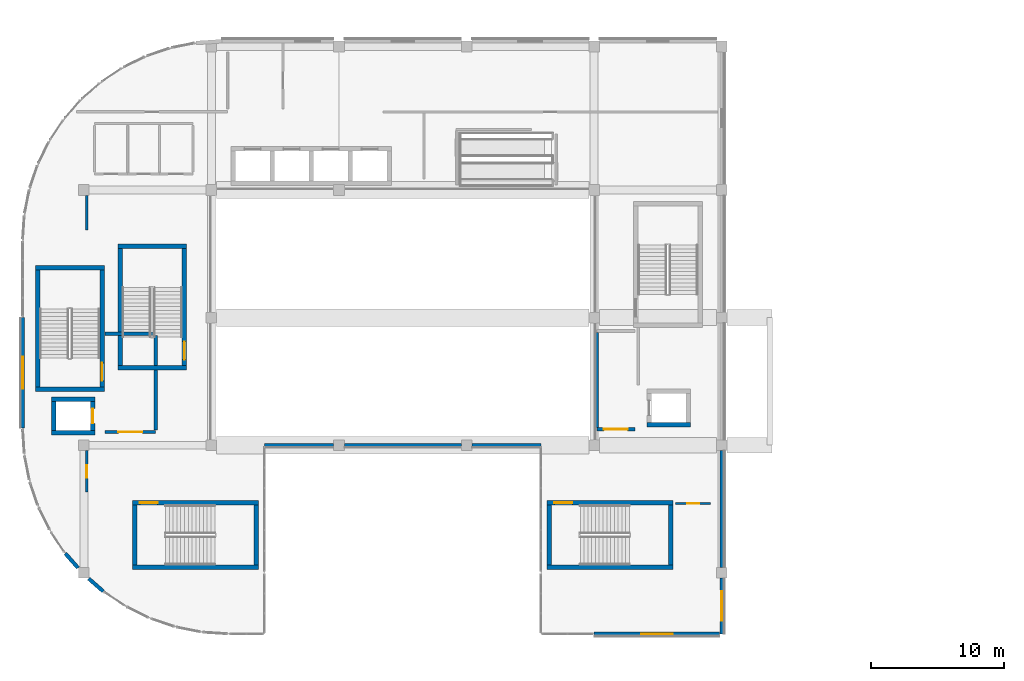
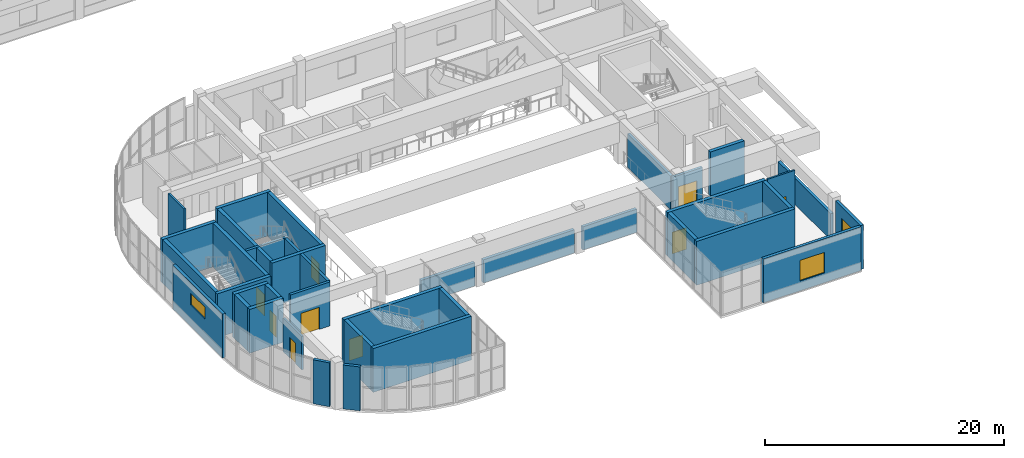
# One storey, part 21 of 33: 38 walls, 9 doors, 3 windows, 12 openings.
"""IFC4 building model written with IfcOpenShell, lengths in metres."""

import ifcopenshell
import ifcopenshell.guid

model = None  # the IFC model being written
_history = None  # IfcOwnerHistory: only IFC2X3 demands one
_inside = {}  # id of a spatial element -> (the spatial element, [elements in it])
_under = {}  # id of a project, library or spatial element -> (it, [spatial elements below it])
_declared = {}  # id of a project -> (the project, [libraries it declares])
_typed = {}  # id of a type object -> (the type object, [elements of that type])
_made_of = {}  # id of a material, layer set ... -> (it, [elements and type objects made of it])


def new_model(schema):
    """Start an empty IFC model of exactly this schema.

    Asked for "IFC4X3", IfcOpenShell would pick the latest addendum, in which some entities
    have other attributes; the version numbers below select the first issue.
    IFC2X3 requires an IfcOwnerHistory on every rooted entity: one is made here for all.
    """
    global model, _history
    if schema == "IFC4X3":
        model = ifcopenshell.file(schema_version=(4, 3, 0, 0))
    else:
        model = ifcopenshell.file(schema=schema)
    _inside.clear()
    _under.clear()
    _declared.clear()
    _typed.clear()
    _made_of.clear()
    _history = None
    if model.schema == "IFC2X3":
        org = make("IfcOrganization", Name="unknown")
        user = make(
            "IfcPersonAndOrganization",
            ThePerson=make("IfcPerson", FamilyName="unknown"),
            TheOrganization=org,
        )
        app = make(
            "IfcApplication",
            ApplicationDeveloper=org,
            Version="unknown",
            ApplicationFullName="unknown",
            ApplicationIdentifier="unknown",
        )
        _history = make(
            "IfcOwnerHistory",
            OwningUser=user,
            OwningApplication=app,
            ChangeAction="ADDED",
            CreationDate=0,
        )
    return model


def make(cls, **values):
    """One entity of the class cls with the attributes given. An attribute that is None is left unset."""
    return model.create_entity(
        cls, **{name: value for name, value in values.items() if value is not None}
    )


def rooted(cls, **values):
    """An entity with a GlobalId (a new one), such as an element, a storey or a relation."""
    return make(cls, GlobalId=ifcopenshell.guid.new(), OwnerHistory=_history, **values)


def si_unit(unit_type, name, prefix=None):
    """IfcSIUnit, for example si_unit("LENGTHUNIT", "METRE", prefix="MILLI")."""
    return make("IfcSIUnit", UnitType=unit_type, Prefix=prefix, Name=name)


def assignment(units):
    """IfcUnitAssignment: the units of a project."""
    return None if units is None else make("IfcUnitAssignment", Units=units)


def point(xyz):
    """IfcCartesianPoint."""
    return None if xyz is None else make("IfcCartesianPoint", Coordinates=xyz)


def direction(xyz):
    """IfcDirection."""
    return None if xyz is None else make("IfcDirection", DirectionRatios=xyz)


def frame(location, z_axis=None, x_axis=None):
    """IfcAxis2Placement3D, a coordinate frame: its origin and axes. An axis left out is left unset."""
    return make(
        "IfcAxis2Placement3D",
        Location=point(location),
        Axis=direction(z_axis),
        RefDirection=direction(x_axis),
    )


def frame_2d(location, x_axis=None):
    """IfcAxis2Placement2D, a coordinate frame in the plane: its origin and x axis."""
    return make(
        "IfcAxis2Placement2D", Location=point(location), RefDirection=direction(x_axis)
    )


def origin():
    """The frame at (0, 0, 0) with its axes left unset."""
    return frame((0.0, 0.0, 0.0))


def place(relative_to, where):
    """IfcLocalPlacement: puts the frame where relative to a parent placement (None: the world)."""
    return make(
        "IfcLocalPlacement", PlacementRelTo=relative_to, RelativePlacement=where
    )


def context(
    kind, dimensions, precision=None, world=None, true_north=None, identifier=None
):
    """IfcGeometricRepresentationContext, for example the 3D "Model" context."""
    return make(
        "IfcGeometricRepresentationContext",
        ContextIdentifier=identifier,
        ContextType=kind,
        CoordinateSpaceDimension=dimensions,
        Precision=precision,
        WorldCoordinateSystem=world,
        TrueNorth=true_north,
    )


def subcontext(parent, identifier, kind, view, scale=None):
    """IfcGeometricRepresentationSubContext, for example "Body" below "Model"."""
    return make(
        "IfcGeometricRepresentationSubContext",
        ContextIdentifier=identifier,
        ContextType=kind,
        ParentContext=parent,
        TargetScale=scale,
        TargetView=view,
    )


def project(units=None, contexts=None):
    """IfcProject with its units and contexts."""
    return rooted(
        "IfcProject",
        Name="project",
        RepresentationContexts=contexts,
        UnitsInContext=assignment(units),
    )


def spatial(cls, under=None, at=None, **own):
    """A site, building, storey or space (cls), placed at a placement, below another one or the project."""
    s = rooted(cls, ObjectPlacement=at, **own)
    if under is not None:
        _under.setdefault(under.id(), (under, []))[1].append(s)
    return s


def profile(cls, at=None, kind="AREA", **sizes):
    """A parametric profile (cls). Its sizes go by their IFC names, for example OverallWidth=200.0."""
    return make(cls, ProfileType=kind, Position=at, **sizes)


def rectangle(**sizes):
    """IfcRectangleProfileDef."""
    return profile("IfcRectangleProfileDef", **sizes)


def extrude(swept, where, along, depth):
    """IfcExtrudedAreaSolid: the profile swept, set in the frame where, extruded along a direction by depth."""
    return make(
        "IfcExtrudedAreaSolid",
        SweptArea=swept,
        Position=where,
        ExtrudedDirection=direction(along),
        Depth=depth,
    )


def shape(context_of_items, identifier, shape_type, items):
    """IfcShapeRepresentation: the items that make up one representation, for example the "Body"."""
    return make(
        "IfcShapeRepresentation",
        ContextOfItems=context_of_items,
        RepresentationIdentifier=identifier,
        RepresentationType=shape_type,
        Items=items,
    )


def material(Name=None, Category=None):
    """IfcMaterial."""
    return make("IfcMaterial", Name=Name, Category=Category)


def layer(
    of_material, thickness, ventilated=None, Name=None, Category=None, Priority=None
):
    """IfcMaterialLayer: one layer of a wall or slab, of a material (None: an air gap)."""
    return make(
        "IfcMaterialLayer",
        Material=of_material,
        LayerThickness=thickness,
        IsVentilated=ventilated,
        Name=Name,
        Category=Category,
        Priority=Priority,
    )


def layer_set(layers, Name=None):
    """IfcMaterialLayerSet."""
    return make("IfcMaterialLayerSet", MaterialLayers=layers, LayerSetName=Name)


def made_of(thing, what):
    """Note that an element or type object is made of a material, layer set ...; save() writes the relation."""
    if what is not None:
        _made_of.setdefault(what.id(), (what, []))[1].append(thing)
    return thing


def type_object(cls, material=None, **own):
    """A type object (cls), such as IfcWallType, which elements share."""
    return made_of(rooted(cls, **own), material)


def element(
    cls,
    number,
    at=None,
    inside=None,
    cuts=None,
    type_object=None,
    material=None,
    context=None,
    identifier="Body",
    shape_type=None,
    held_by="IfcProductDefinitionShape",
    body=None,
    shapes=None,
    **own,
):
    """One element of the class cls, such as IfcWall. Its Tag is "e" and its number.

    at: its placement. inside: the storey or other place that contains it. cuts: it is an
    opening in that element (IfcRelVoidsElement). A single representation is given by context,
    identifier, shape_type and body (its items); several are given by shapes. held_by: the class
    of the entity that holds the representations. save() writes the other relations.
    """
    e = rooted(cls, Tag="e%d" % number, ObjectPlacement=at, **own)
    if body is not None:
        shapes = [shape(context, identifier, shape_type, body)]
    if shapes is not None:
        e.Representation = make(held_by, Representations=shapes)
    if inside is not None:
        _inside.setdefault(inside.id(), (inside, []))[1].append(e)
    if cuts is not None:
        rooted(
            "IfcRelVoidsElement", RelatingBuildingElement=cuts, RelatedOpeningElement=e
        )
    if type_object is not None:
        _typed.setdefault(type_object.id(), (type_object, []))[1].append(e)
    return made_of(e, material)


def fill(opening, filler):
    """IfcRelFillsElement: the door or window that sits in an opening."""
    return rooted(
        "IfcRelFillsElement",
        RelatingOpeningElement=opening,
        RelatedBuildingElement=filler,
    )


def aggregate(whole, parts):
    """IfcRelAggregates: a whole, such as a stair, and the parts it consists of."""
    return rooted("IfcRelAggregates", RelatingObject=whole, RelatedObjects=parts)


def save(model, path):
    """Write the relations noted so far, then the file.

    IfcRelAggregates (storeys below a building ...), IfcRelContainedInSpatialStructure (elements
    in a storey), IfcRelDefinesByType, IfcRelAssociatesMaterial and IfcRelDeclares: one each for
    every whole, place, type object, material and project.
    """
    for whole, parts in _under.values():
        aggregate(whole, parts)
    for where, things in _inside.values():
        rooted(
            "IfcRelContainedInSpatialStructure",
            RelatedElements=things,
            RelatingStructure=where,
        )
    for kind, things in _typed.values():
        rooted("IfcRelDefinesByType", RelatedObjects=things, RelatingType=kind)
    for what, things in _made_of.values():
        rooted("IfcRelAssociatesMaterial", RelatedObjects=things, RelatingMaterial=what)
    for by, libraries in _declared.values():
        rooted("IfcRelDeclares", RelatingContext=by, RelatedDefinitions=libraries)
    model.write(path)


model = new_model("IFC4")

# Units and contexts
model_context = context("Model", 3, precision=1e-05, world=origin(), true_north=direction((0.0, 1.0)))
body_context = subcontext(model_context, "Body", "Model", "MODEL_VIEW")
ifc_project = project(units=[si_unit("LENGTHUNIT", "METRE"), si_unit("AREAUNIT", "SQUARE_METRE"), si_unit("VOLUMEUNIT", "CUBIC_METRE"), si_unit("PLANEANGLEUNIT", "RADIAN"), si_unit("MASSUNIT", "GRAM", prefix="KILO")], contexts=[model_context])

# Site, building, storey
site_placement = place(None, origin())
site = spatial("IfcSite", under=ifc_project, at=site_placement, CompositionType="ELEMENT")
building_placement = place(site_placement, origin())
building = spatial("IfcBuilding", under=site, at=building_placement, Name="Cendralis Terraced Arcade", CompositionType="ELEMENT")
storey_placement = place(building_placement, frame((0.0, 0.0, 19.800048828125)))
storey = spatial("IfcBuildingStorey", under=building, at=storey_placement, Name="L04", CompositionType="ELEMENT", Elevation=19.800048828125)

# Wall, opening, door
ifc_material_1 = material(Name="Gypsum plasterboard acoustic partition", Category="concrete")
ifc_layer_1 = layer(ifc_material_1, 0.195068359375, Name="WL-ACOU-195")
ifc_layer_set_1 = layer_set([ifc_layer_1], Name="Gypsum plasterboard acoustic partition")
wall_type_1 = type_object("IfcWallType", Name="WL-ACOU-195", PredefinedType="PARTITIONING", material=ifc_layer_set_1)
wall_1_placement = place(storey_placement, frame((9.820068359375, 18.800048828125, 0.0), z_axis=(0.0, 0.0, 1.0), x_axis=(0.0, -1.0, 0.0)))
wall_1 = element("IfcWall", 1, at=wall_1_placement, inside=storey, type_object=wall_type_1, Name="Interior Partition Wall IW-L04-0578", PredefinedType="PARTITIONING", context=body_context, shape_type="SweptSolid", body=[
    extrude(rectangle(XDim=3.1201171875, YDim=0.195068359375, at=frame_2d((1.56005859375, 0.0))), origin(), (0.0, 0.0, 1.0), 3.419921875),
])
opening_1_placement = place(wall_1_placement, frame((1.090087890625, 0.0, 0.0)))
opening_1 = element("IfcOpeningElement", 2, at=opening_1_placement, cuts=wall_1, Name="Opening D-L04-154", PredefinedType="OPENING", context=body_context, shape_type="SweptSolid", body=[
    extrude(rectangle(XDim=0.9599609375, YDim=2.1298828125, at=frame_2d((0.47998046875, 1.06494140625))), frame((0.0, 0.109375, 0.0), z_axis=(0.0, -1.0, 0.0), x_axis=(1.0, 0.0, 0.0)), (0.0, 0.0, 1.0), 0.218994140625),
])
ifc_material_2 = material(Name="Solid core Andean oak veneer door leaf", Category="aluminium")
door_type_1 = type_object("IfcDoorType", Name="ID-RM-0960x2130", OperationType="NOTDEFINED", PredefinedType="DOOR", material=ifc_material_2)
door_1_placement = place(opening_1_placement, origin())
door_1 = element("IfcDoor", 3, at=door_1_placement, inside=storey, type_object=door_type_1, Name="Children and Toy Department Sales Floor Door D-L04-154", OperationType="SINGLE_SWING_LEFT", OverallHeight=2.1298828125, OverallWidth=0.9599609375, PredefinedType="DOOR", context=body_context, shape_type="SweptSolid", body=[
    extrude(rectangle(XDim=0.9599609375, YDim=2.1298828125, at=frame_2d((0.47998046875, 1.06494140625))), frame((0.0, 0.02490234375, 0.0), z_axis=(0.0, -1.0, 0.0), x_axis=(1.0, 0.0, 0.0)), (0.0, 0.0, 1.0), 0.050048828125),
])
fill(opening_1, door_1)

# Walls
ifc_material_3 = material(Name="Concrete f'c 42 MPa", Category="concrete")
ifc_layer_2 = layer(ifc_material_3, 0.340087890625, Name="WL-CORE-340")
ifc_layer_set_2 = layer_set([ifc_layer_2], Name="Concrete f'c 42 MPa")
wall_type_2 = type_object("IfcWallType", Name="WL-CORE-340", PredefinedType="SHEAR", material=ifc_layer_set_2)
for number, where, z_axis, x_axis, name in (
    (4, (5.9599609375, 23.429931640625, 0.0), (0.0, 0.0, 1.0), (1.0, 0.0, 0.0), "Stair Core Reinforced Concrete Shear Wall SW-ST-01-L04-S"),
    (5, (5.9599609375, 32.570068359375, 0.0), (0.0, 0.0, 1.0), (1.0, 0.0, 0.0), "Stair Core Reinforced Concrete Shear Wall SW-ST-01-L04-N"),
):
    element("IfcWall", number, at=place(storey_placement, frame(where, z_axis=z_axis, x_axis=x_axis)), inside=storey, type_object=wall_type_2, Name=name, PredefinedType="SHEAR", context=body_context, shape_type="SweptSolid", body=[
        extrude(rectangle(XDim=5.179931640625, YDim=0.340087890625, at=frame_2d((2.58984375, 0.0))), origin(), (0.0, 0.0, 1.0), 4.47998046875),
    ])

# Wall, opening, door
wall_2_placement = place(storey_placement, frame((10.969970703125, 23.60009765625, 0.0), z_axis=(0.0, 0.0, 1.0), x_axis=(0.0, 1.0, 0.0)))
wall_2 = element("IfcWall", 6, at=wall_2_placement, inside=storey, type_object=wall_type_2, Name="Stair Core Reinforced Concrete Shear Wall SW-ST-01-L04-E", PredefinedType="SHEAR", context=body_context, shape_type="SweptSolid", body=[
    extrude(rectangle(XDim=8.7998046875, YDim=0.340087890625, at=frame_2d((4.39990234375, 0.0))), origin(), (0.0, 0.0, 1.0), 4.47998046875),
])
opening_2_placement = place(wall_2_placement, frame((0.449951171875, 0.0, 0.0)))
opening_2 = element("IfcOpeningElement", 7, at=opening_2_placement, cuts=wall_2, Name="Opening D-ST-01-L04", PredefinedType="OPENING", context=body_context, shape_type="SweptSolid", body=[
    extrude(rectangle(XDim=1.35009765625, YDim=2.199951171875, at=frame_2d((0.675048828125, 1.10009765625))), frame((0.0, 0.18212890625, 0.0), z_axis=(0.0, -1.0, 0.0), x_axis=(1.0, 0.0, 0.0)), (0.0, 0.0, 1.0), 0.364013671875),
])
ifc_material_4 = material(Name="Galvanised fire-rated steel door assembly", Category="steel")
door_type_2 = type_object("IfcDoorType", Name="ID-ST-1350x2200", OperationType="NOTDEFINED", PredefinedType="DOOR", material=ifc_material_4)
door_2_placement = place(opening_2_placement, origin())
door_2 = element("IfcDoor", 8, at=door_2_placement, inside=storey, type_object=door_type_2, Name="Protected Stair ST-01 Fire Door (L04)", OperationType="SINGLE_SWING_RIGHT", OverallHeight=2.199951171875, OverallWidth=1.35009765625, PredefinedType="DOOR", context=body_context, shape_type="SweptSolid", body=[
    extrude(rectangle(XDim=1.35009765625, YDim=2.199951171875, at=frame_2d((0.675048828125, 1.10009765625))), frame((0.0, 0.02490234375, 0.0), z_axis=(0.0, -1.0, 0.0), x_axis=(1.0, 0.0, 0.0)), (0.0, 0.0, 1.0), 0.050048828125),
])
fill(opening_2, door_2)

# Walls
wall_3_placement = place(storey_placement, frame((6.1298828125, 23.60009765625, 0.0), z_axis=(0.0, 0.0, 1.0), x_axis=(0.0, 1.0, 0.0)))
element("IfcWall", 9, at=wall_3_placement, inside=storey, type_object=wall_type_2, Name="Stair Core Reinforced Concrete Shear Wall SW-ST-01-L04-W", PredefinedType="SHEAR", context=body_context, shape_type="SweptSolid", body=[
    extrude(rectangle(XDim=8.7998046875, YDim=0.340087890625, at=frame_2d((4.39990234375, 0.0))), origin(), (0.0, 0.0, 1.0), 4.47998046875),
])
wall_4_placement = place(storey_placement, frame((13.260009765625, 10.030029296875, 0.0), z_axis=(0.0, 0.0, 1.0), x_axis=(1.0, 0.0, 0.0)))
element("IfcWall", 10, at=wall_4_placement, inside=storey, type_object=wall_type_2, Name="Stair Core Reinforced Concrete Shear Wall SW-ST-02-L04-S", PredefinedType="SHEAR", context=body_context, shape_type="SweptSolid", body=[
    extrude(rectangle(XDim=9.47998046875, YDim=0.340087890625, at=frame_2d((4.739990234375, 0.0))), origin(), (0.0, 0.0, 1.0), 4.47998046875),
])

# Wall, opening, door
wall_5_placement = place(storey_placement, frame((13.260009765625, 14.8701171875, 0.0), z_axis=(0.0, 0.0, 1.0), x_axis=(1.0, 0.0, 0.0)))
wall_5 = element("IfcWall", 11, at=wall_5_placement, inside=storey, type_object=wall_type_2, Name="Stair Core Reinforced Concrete Shear Wall SW-ST-02-L04-N", PredefinedType="SHEAR", context=body_context, shape_type="SweptSolid", body=[
    extrude(rectangle(XDim=9.47998046875, YDim=0.340087890625, at=frame_2d((4.739990234375, 0.0))), origin(), (0.0, 0.0, 1.0), 4.47998046875),
])
opening_3_placement = place(wall_5_placement, frame((0.550048828125, 0.0, 0.0)))
opening_3 = element("IfcOpeningElement", 12, at=opening_3_placement, cuts=wall_5, Name="Opening D-ST-02-L04", PredefinedType="OPENING", context=body_context, shape_type="SweptSolid", body=[
    extrude(rectangle(XDim=1.35009765625, YDim=2.199951171875, at=frame_2d((0.675048828125, 1.10009765625))), frame((0.0, 0.18212890625, 0.0), z_axis=(0.0, -1.0, 0.0), x_axis=(1.0, 0.0, 0.0)), (0.0, 0.0, 1.0), 0.364013671875),
])
door_3_placement = place(opening_3_placement, frame((1.35009765625, 0.0, 0.0), z_axis=(0.0, 0.0, 1.0), x_axis=(-1.0, 0.0, 0.0)))
door_3 = element("IfcDoor", 13, at=door_3_placement, inside=storey, type_object=door_type_2, Name="Protected Stair ST-02 Fire Door (L04)", OperationType="SINGLE_SWING_LEFT", OverallHeight=2.199951171875, OverallWidth=1.35009765625, PredefinedType="DOOR", context=body_context, shape_type="SweptSolid", body=[
    extrude(rectangle(XDim=1.35009765625, YDim=2.199951171875, at=frame_2d((0.675048828125, 1.10009765625))), frame((0.0, 0.02490234375, 0.0), z_axis=(0.0, -1.0, 0.0), x_axis=(1.0, 0.0, 0.0)), (0.0, 0.0, 1.0), 0.050048828125),
])
fill(opening_3, door_3)

# Walls
for number, where, z_axis, x_axis, name in (
    (14, (22.570068359375, 10.199951171875, 0.0), (0.0, 0.0, 1.0), (0.0, 1.0, 0.0), "Stair Core Reinforced Concrete Shear Wall SW-ST-02-L04-E"),
    (15, (13.429931640625, 10.199951171875, 0.0), (0.0, 0.0, 1.0), (0.0, 1.0, 0.0), "Stair Core Reinforced Concrete Shear Wall SW-ST-02-L04-W"),
):
    element("IfcWall", number, at=place(storey_placement, frame(where, z_axis=z_axis, x_axis=x_axis)), inside=storey, type_object=wall_type_2, Name=name, PredefinedType="SHEAR", context=body_context, shape_type="SweptSolid", body=[
        extrude(rectangle(XDim=4.5, YDim=0.340087890625, at=frame_2d((2.25, 0.0))), origin(), (0.0, 0.0, 1.0), 4.47998046875),
    ])
wall_6_placement = place(storey_placement, frame((44.4599609375, 10.030029296875, 0.0), z_axis=(0.0, 0.0, 1.0), x_axis=(1.0, 0.0, 0.0)))
element("IfcWall", 16, at=wall_6_placement, inside=storey, type_object=wall_type_2, Name="Stair Core Reinforced Concrete Shear Wall SW-ST-03-L04-S", PredefinedType="SHEAR", context=body_context, shape_type="SweptSolid", body=[
    extrude(rectangle(XDim=9.47998046875, YDim=0.340087890625, at=frame_2d((4.739990234375, 0.0))), origin(), (0.0, 0.0, 1.0), 4.47998046875),
])

# Wall, opening, door
wall_7_placement = place(storey_placement, frame((44.4599609375, 14.8701171875, 0.0), z_axis=(0.0, 0.0, 1.0), x_axis=(1.0, 0.0, 0.0)))
wall_7 = element("IfcWall", 17, at=wall_7_placement, inside=storey, type_object=wall_type_2, Name="Stair Core Reinforced Concrete Shear Wall SW-ST-03-L04-N", PredefinedType="SHEAR", context=body_context, shape_type="SweptSolid", body=[
    extrude(rectangle(XDim=9.47998046875, YDim=0.340087890625, at=frame_2d((4.739990234375, 0.0))), origin(), (0.0, 0.0, 1.0), 4.47998046875),
])
opening_4_placement = place(wall_7_placement, frame((0.550048828125, 0.0, 0.0)))
opening_4 = element("IfcOpeningElement", 18, at=opening_4_placement, cuts=wall_7, Name="Opening D-ST-03-L04", PredefinedType="OPENING", context=body_context, shape_type="SweptSolid", body=[
    extrude(rectangle(XDim=1.35009765625, YDim=2.199951171875, at=frame_2d((0.675048828125, 1.10009765625))), frame((0.0, 0.18212890625, 0.0), z_axis=(0.0, -1.0, 0.0), x_axis=(1.0, 0.0, 0.0)), (0.0, 0.0, 1.0), 0.364013671875),
])
door_4_placement = place(opening_4_placement, frame((1.35009765625, 0.0, 0.0), z_axis=(0.0, 0.0, 1.0), x_axis=(-1.0, 0.0, 0.0)))
door_4 = element("IfcDoor", 19, at=door_4_placement, inside=storey, type_object=door_type_2, Name="Protected Stair ST-03 Fire Door (L04)", OperationType="SINGLE_SWING_RIGHT", OverallHeight=2.199951171875, OverallWidth=1.35009765625, PredefinedType="DOOR", context=body_context, shape_type="SweptSolid", body=[
    extrude(rectangle(XDim=1.35009765625, YDim=2.199951171875, at=frame_2d((0.675048828125, 1.10009765625))), frame((0.0, 0.02490234375, 0.0), z_axis=(0.0, -1.0, 0.0), x_axis=(1.0, 0.0, 0.0)), (0.0, 0.0, 1.0), 0.050048828125),
])
fill(opening_4, door_4)

# Walls
for number, where, z_axis, x_axis, name in (
    (20, (53.77001953125, 10.199951171875, 0.0), (0.0, 0.0, 1.0), (0.0, 1.0, 0.0), "Stair Core Reinforced Concrete Shear Wall SW-ST-03-L04-E"),
    (21, (44.6298828125, 10.199951171875, 0.0), (0.0, 0.0, 1.0), (0.0, 1.0, 0.0), "Stair Core Reinforced Concrete Shear Wall SW-ST-03-L04-W"),
):
    element("IfcWall", number, at=place(storey_placement, frame(where, z_axis=z_axis, x_axis=x_axis)), inside=storey, type_object=wall_type_2, Name=name, PredefinedType="SHEAR", context=body_context, shape_type="SweptSolid", body=[
        extrude(rectangle(XDim=4.5, YDim=0.340087890625, at=frame_2d((2.25, 0.0))), origin(), (0.0, 0.0, 1.0), 4.47998046875),
    ])
for number, where, z_axis, x_axis, name in (
    (22, (12.159912109375, 25.030029296875, 0.0), (0.0, 0.0, 1.0), (1.0, 0.0, 0.0), "Stair Core Reinforced Concrete Shear Wall SW-ST-05-L04-S"),
    (23, (12.159912109375, 34.169921875, 0.0), (0.0, 0.0, 1.0), (1.0, 0.0, 0.0), "Stair Core Reinforced Concrete Shear Wall SW-ST-05-L04-N"),
):
    element("IfcWall", number, at=place(storey_placement, frame(where, z_axis=z_axis, x_axis=x_axis)), inside=storey, type_object=wall_type_2, Name=name, PredefinedType="SHEAR", context=body_context, shape_type="SweptSolid", body=[
        extrude(rectangle(XDim=5.18017578125, YDim=0.340087890625, at=frame_2d((2.590087890625, 0.0))), origin(), (0.0, 0.0, 1.0), 4.47998046875),
    ])

# Wall, opening, door
wall_8_placement = place(storey_placement, frame((17.169921875, 25.199951171875, 0.0), z_axis=(0.0, 0.0, 1.0), x_axis=(0.0, 1.0, 0.0)))
wall_8 = element("IfcWall", 24, at=wall_8_placement, inside=storey, type_object=wall_type_2, Name="Stair Core Reinforced Concrete Shear Wall SW-ST-05-L04-E", PredefinedType="SHEAR", context=body_context, shape_type="SweptSolid", body=[
    extrude(rectangle(XDim=8.800048828125, YDim=0.340087890625, at=frame_2d((4.39990234375, 0.0))), origin(), (0.0, 0.0, 1.0), 4.47998046875),
])
opening_5_placement = place(wall_8_placement, frame((0.449951171875, 0.0, 0.0)))
opening_5 = element("IfcOpeningElement", 25, at=opening_5_placement, cuts=wall_8, Name="Opening D-ST-05-L04", PredefinedType="OPENING", context=body_context, shape_type="SweptSolid", body=[
    extrude(rectangle(XDim=1.35009765625, YDim=2.199951171875, at=frame_2d((0.675048828125, 1.10009765625))), frame((0.0, 0.18212890625, 0.0), z_axis=(0.0, -1.0, 0.0), x_axis=(1.0, 0.0, 0.0)), (0.0, 0.0, 1.0), 0.364013671875),
])
door_5_placement = place(opening_5_placement, origin())
door_5 = element("IfcDoor", 26, at=door_5_placement, inside=storey, type_object=door_type_2, Name="Protected Stair ST-05 Fire Door (L04)", OperationType="SINGLE_SWING_LEFT", OverallHeight=2.199951171875, OverallWidth=1.35009765625, PredefinedType="DOOR", context=body_context, shape_type="SweptSolid", body=[
    extrude(rectangle(XDim=1.35009765625, YDim=2.199951171875, at=frame_2d((0.675048828125, 1.10009765625))), frame((0.0, 0.02490234375, 0.0), z_axis=(0.0, -1.0, 0.0), x_axis=(1.0, 0.0, 0.0)), (0.0, 0.0, 1.0), 0.050048828125),
])
fill(opening_5, door_5)

# Walls
wall_9_placement = place(storey_placement, frame((12.330078125, 25.199951171875, 0.0), z_axis=(0.0, 0.0, 1.0), x_axis=(0.0, 1.0, 0.0)))
element("IfcWall", 27, at=wall_9_placement, inside=storey, type_object=wall_type_2, Name="Stair Core Reinforced Concrete Shear Wall SW-ST-05-L04-W", PredefinedType="SHEAR", context=body_context, shape_type="SweptSolid", body=[
    extrude(rectangle(XDim=8.800048828125, YDim=0.340087890625, at=frame_2d((4.39990234375, 0.0))), origin(), (0.0, 0.0, 1.0), 4.47998046875),
])
for number, where, z_axis, x_axis, name in (
    (28, (7.159912109375, 20.1298828125, 0.0), (0.0, 0.0, 1.0), (1.0, 0.0, 0.0), "Lift FFL-01 Reinforced Concrete Shaft Wall (L04)"),
    (29, (7.159912109375, 22.669921875, 0.0), (0.0, 0.0, 1.0), (1.0, 0.0, 0.0), "Lift FFL-01 Reinforced Concrete Shaft Wall (L04)"),
):
    element("IfcWall", number, at=place(storey_placement, frame(where, z_axis=z_axis, x_axis=x_axis)), inside=storey, type_object=wall_type_2, Name=name, PredefinedType="SHEAR", context=body_context, shape_type="SweptSolid", body=[
        extrude(rectangle(XDim=3.280029296875, YDim=0.340087890625, at=frame_2d((1.64013671875, 0.0))), origin(), (0.0, 0.0, 1.0), 4.47998046875),
    ])
wall_10_placement = place(storey_placement, frame((7.330078125, 20.300048828125, 0.0), z_axis=(0.0, 0.0, 1.0), x_axis=(0.0, 1.0, 0.0)))
element("IfcWall", 30, at=wall_10_placement, inside=storey, type_object=wall_type_2, Name="Lift FFL-01 Reinforced Concrete Shaft Wall (L04)", PredefinedType="SHEAR", context=body_context, shape_type="SweptSolid", body=[
    extrude(rectangle(XDim=2.199951171875, YDim=0.340087890625, at=frame_2d((1.10009765625, 0.0))), origin(), (0.0, 0.0, 1.0), 4.47998046875),
])

# Wall, opening, door
wall_11_placement = place(storey_placement, frame((10.27001953125, 20.300048828125, 0.0), z_axis=(0.0, 0.0, 1.0), x_axis=(0.0, 1.0, 0.0)))
wall_11 = element("IfcWall", 31, at=wall_11_placement, inside=storey, type_object=wall_type_2, Name="Lift FFL-01 Reinforced Concrete Shaft Wall (L04)", PredefinedType="SHEAR", context=body_context, shape_type="SweptSolid", body=[
    extrude(rectangle(XDim=2.199951171875, YDim=0.340087890625, at=frame_2d((1.10009765625, 0.0))), origin(), (0.0, 0.0, 1.0), 4.47998046875),
])
opening_6_placement = place(wall_11_placement, frame((0.550048828125, 0.0, 0.0)))
opening_6 = element("IfcOpeningElement", 32, at=opening_6_placement, cuts=wall_11, Name="Opening LD-FFL-01-L04", PredefinedType="OPENING", context=body_context, shape_type="SweptSolid", body=[
    extrude(rectangle(XDim=1.10009765625, YDim=2.14990234375, at=frame_2d((0.550048828125, 1.074951171875))), frame((0.0, 0.18212890625, 0.0), z_axis=(0.0, -1.0, 0.0), x_axis=(1.0, 0.0, 0.0)), (0.0, 0.0, 1.0), 0.364013671875),
])
ifc_material_5 = material(Name="Anodised aluminium sliding door assembly", Category="aluminium")
door_type_3 = type_object("IfcDoorType", Name="ID-LD-FF-1100x2150", OperationType="DOUBLE_DOOR_SLIDING", PredefinedType="DOOR", material=ifc_material_5)
door_6_placement = place(opening_6_placement, origin())
door_6 = element("IfcDoor", 33, at=door_6_placement, inside=storey, type_object=door_type_3, Name="Lift FFL-01 Sliding Landing Door (L04)", OperationType="DOUBLE_DOOR_SLIDING", OverallHeight=2.14990234375, OverallWidth=1.10009765625, PredefinedType="DOOR", context=body_context, shape_type="SweptSolid", body=[
    extrude(rectangle(XDim=1.10009765625, YDim=2.14990234375, at=frame_2d((0.550048828125, 1.074951171875))), frame((0.0, 0.02490234375, 0.0), z_axis=(0.0, -1.0, 0.0), x_axis=(1.0, 0.0, 0.0)), (0.0, 0.0, 1.0), 0.050048828125),
])
fill(opening_6, door_6)

# Walls
wall_12_placement = place(storey_placement, frame((51.9599609375, 20.72998046875, 0.0), z_axis=(0.0, 0.0, 1.0), x_axis=(1.0, 0.0, 0.0)))
element("IfcWall", 34, at=wall_12_placement, inside=storey, type_object=wall_type_2, Name="Lift FFL-02 Reinforced Concrete Shaft Wall (L04)", PredefinedType="SHEAR", context=body_context, shape_type="SweptSolid", body=[
    extrude(rectangle(XDim=3.280029296875, YDim=0.340087890625, at=frame_2d((1.64013671875, 0.0))), origin(), (0.0, 0.0, 1.0), 4.47998046875),
])
ifc_material_6 = material(Name="Precast concrete f'c 40 MPa", Category="concrete")
ifc_layer_3 = layer(ifc_material_6, 0.280029296875, Name="WL-EXT-GRC-280")
ifc_layer_set_3 = layer_set([ifc_layer_3], Name="Precast concrete f'c 40 MPa")
wall_type_3 = type_object("IfcWallType", Name="WL-EXT-GRC-280", PredefinedType="SOLIDWALL", material=ifc_layer_set_3)
wall_13_placement = place(storey_placement, frame((57.60009765625, 18.802001953125, 0.0), z_axis=(0.0, 0.0, 1.0), x_axis=(0.0, -1.0, 0.0)))
element("IfcWall", 35, at=wall_13_placement, inside=storey, type_object=wall_type_3, Name="Exterior Architectural Wall EW-L04-0305", PredefinedType="SOLIDWALL", context=body_context, shape_type="SweptSolid", body=[
    extrude(rectangle(XDim=8.803955078125, YDim=0.280029296875, at=frame_2d((4.40185546875, 0.0))), origin(), (0.0, 0.0, 1.0), 2.669921875),
])

# Wall, opening, window
wall_14_placement = place(storey_placement, frame((57.60009765625, 9.201904296875, 0.0), z_axis=(0.0, 0.0, 1.0), x_axis=(0.0, -1.0, 0.0)))
wall_14 = element("IfcWall", 36, at=wall_14_placement, inside=storey, type_object=wall_type_3, Name="Exterior Architectural Wall EW-L04-0306", PredefinedType="SOLIDWALL", context=body_context, shape_type="SweptSolid", body=[
    extrude(rectangle(XDim=4.201904296875, YDim=0.280029296875, at=frame_2d((2.10107421875, 0.0))), origin(), (0.0, 0.0, 1.0), 4.47998046875),
])
opening_7_placement = place(wall_14_placement, frame((1.0009765625, 0.0, 0.89990234375)))
opening_7 = element("IfcOpeningElement", 37, at=opening_7_placement, cuts=wall_14, Name="Opening W-02", PredefinedType="OPENING", context=body_context, shape_type="SweptSolid", body=[
    extrude(rectangle(XDim=2.199951171875, YDim=2.39990234375, at=frame_2d((1.10009765625, 1.199951171875))), frame((0.0, 0.15185546875, 0.0), z_axis=(0.0, -1.0, 0.0), x_axis=(1.0, 0.0, 0.0)), (0.0, 0.0, 1.0), 0.303955078125),
])
ifc_material_7 = material(Name="Tempered solar control laminated glass", Category="glass")
window_type_1 = type_object("IfcWindowType", Name="WN-F1-2200x2400", PartitioningType="SINGLE_PANEL", PredefinedType="WINDOW", material=ifc_material_7)
window_1_placement = place(opening_7_placement, origin())
window_1 = element("IfcWindow", 38, at=window_1_placement, inside=storey, type_object=window_type_1, Name="Exterior Solar-Control Window WN-L04-0206", OverallHeight=2.39990234375, OverallWidth=2.199951171875, PartitioningType="SINGLE_PANEL", PredefinedType="WINDOW", context=body_context, shape_type="SweptSolid", body=[
    extrude(rectangle(XDim=2.199951171875, YDim=2.39990234375, at=frame_2d((1.10009765625, 1.199951171875))), frame((0.0, 0.030029296875, 0.0), z_axis=(0.0, -1.0, 0.0), x_axis=(1.0, 0.0, 0.0)), (0.0, 0.0, 1.0), 0.06005859375),
])
fill(opening_7, window_1)

wall_15_placement = place(storey_placement, frame((57.43994140625, 5.0, 0.0), z_axis=(0.0, 0.0, 1.0), x_axis=(-1.0, 0.0, 0.0)))
wall_15 = element("IfcWall", 39, at=wall_15_placement, inside=storey, type_object=wall_type_3, Name="Exterior Architectural Wall EW-L04-0307", PredefinedType="SOLIDWALL", context=body_context, shape_type="SweptSolid", body=[
    extrude(rectangle(XDim=9.43994140625, YDim=0.280029296875, at=frame_2d((4.719970703125, 0.0))), origin(), (0.0, 0.0, 1.0), 4.47998046875),
])
opening_8_placement = place(wall_15_placement, frame((3.52001953125, 0.0, 1.0)))
opening_8 = element("IfcOpeningElement", 40, at=opening_8_placement, cuts=wall_15, Name="Opening W-11", PredefinedType="OPENING", context=body_context, shape_type="SweptSolid", body=[
    extrude(rectangle(XDim=2.39990234375, YDim=2.10009765625, at=frame_2d((1.199951171875, 1.050048828125))), frame((0.0, 0.15185546875, 0.0), z_axis=(0.0, -1.0, 0.0), x_axis=(1.0, 0.0, 0.0)), (0.0, 0.0, 1.0), 0.303955078125),
])
window_type_2 = type_object("IfcWindowType", Name="WN-F2-2400x2100", PartitioningType="SINGLE_PANEL", PredefinedType="WINDOW", material=ifc_material_7)
window_2_placement = place(opening_8_placement, origin())
window_2 = element("IfcWindow", 41, at=window_2_placement, inside=storey, type_object=window_type_2, Name="Exterior Solar-Control Window WN-L04-0207", OverallHeight=2.10009765625, OverallWidth=2.39990234375, PartitioningType="SINGLE_PANEL", PredefinedType="WINDOW", context=body_context, shape_type="SweptSolid", body=[
    extrude(rectangle(XDim=2.39990234375, YDim=2.10009765625, at=frame_2d((1.199951171875, 1.050048828125))), frame((0.0, 0.030029296875, 0.0), z_axis=(0.0, -1.0, 0.0), x_axis=(1.0, 0.0, 0.0)), (0.0, 0.0, 1.0), 0.06005859375),
])
fill(opening_8, window_2)

# Walls
wall_16_placement = place(storey_placement, frame((44.0, 19.199951171875, 0.0), z_axis=(0.0, 0.0, 1.0), x_axis=(-1.0, 0.0, 0.0)))
element("IfcWall", 42, at=wall_16_placement, inside=storey, type_object=wall_type_3, Name="Exterior Architectural Wall EW-L04-0308", PredefinedType="SOLIDWALL", context=body_context, shape_type="SweptSolid", body=[
    extrude(rectangle(XDim=5.201904296875, YDim=0.280029296875, at=frame_2d((2.60107421875, 0.0))), origin(), (0.0, 0.0, 1.0), 2.369873046875),
])
wall_17_placement = place(storey_placement, frame((38.001953125, 19.199951171875, 0.0), z_axis=(0.0, 0.0, 1.0), x_axis=(-1.0, 0.0, 0.0)))
element("IfcWall", 43, at=wall_17_placement, inside=storey, type_object=wall_type_3, Name="Exterior Architectural Wall EW-L04-0309", PredefinedType="SOLIDWALL", context=body_context, shape_type="SweptSolid", body=[
    extrude(rectangle(XDim=8.803955078125, YDim=0.280029296875, at=frame_2d((4.40185546875, 0.0))), origin(), (0.0, 0.0, 1.0), 2.369873046875),
])
wall_18_placement = place(storey_placement, frame((28.402099609375, 19.199951171875, 0.0), z_axis=(0.0, 0.0, 1.0), x_axis=(-1.0, 0.0, 0.0)))
element("IfcWall", 44, at=wall_18_placement, inside=storey, type_object=wall_type_3, Name="Exterior Architectural Wall EW-L04-0310", PredefinedType="SOLIDWALL", context=body_context, shape_type="SweptSolid", body=[
    extrude(rectangle(XDim=5.2021484375, YDim=0.280029296875, at=frame_2d((2.60107421875, 0.0))), origin(), (0.0, 0.0, 1.0), 2.369873046875),
])
for number, where, z_axis, x_axis, name in (
    (45, (11.064208984375, 8.202880859375, 0.0), (0.0, 0.0, 1.0), (-0.751840570395, 0.65934494516, 0.0), "Exterior Architectural Wall EW-L04-0311"),
    (46, (9.165283203125, 9.966796875, 0.0), (0.0, 0.0, 1.0), (-0.65934494516, 0.751840570395, 0.0), "Exterior Architectural Wall EW-L04-0312"),
):
    element("IfcWall", number, at=place(storey_placement, frame(where, z_axis=z_axis, x_axis=x_axis)), inside=storey, type_object=wall_type_3, Name=name, PredefinedType="SOLIDWALL", context=body_context, shape_type="SweptSolid", body=[
        extrude(rectangle(XDim=1.459716796875, YDim=0.280029296875, at=frame_2d((0.72998046875, 0.0))), origin(), (0.0, 0.0, 1.0), 4.47998046875),
    ])

# Wall, opening, window
wall_19_placement = place(storey_placement, frame((5.0, 20.5, 0.0), z_axis=(0.0, 0.0, 1.0), x_axis=(0.0, 1.0, 0.0)))
wall_19 = element("IfcWall", 47, at=wall_19_placement, inside=storey, type_object=wall_type_3, Name="Exterior Architectural Wall EW-L04-0313", PredefinedType="SOLIDWALL", context=body_context, shape_type="SweptSolid", body=[
    extrude(rectangle(XDim=8.300048828125, YDim=0.280029296875, at=frame_2d((4.14990234375, 0.0))), origin(), (0.0, 0.0, 1.0), 4.47998046875),
])
opening_9_placement = place(wall_19_placement, frame((2.949951171875, 0.0, 2.199951171875)))
opening_9 = element("IfcOpeningElement", 48, at=opening_9_placement, cuts=wall_19, Name="Opening W-17", PredefinedType="OPENING", context=body_context, shape_type="SweptSolid", body=[
    extrude(rectangle(XDim=2.39990234375, YDim=1.199951171875, at=frame_2d((1.199951171875, 0.60009765625))), frame((0.0, 0.15185546875, 0.0), z_axis=(0.0, -1.0, 0.0), x_axis=(1.0, 0.0, 0.0)), (0.0, 0.0, 1.0), 0.303955078125),
])
window_type_3 = type_object("IfcWindowType", Name="WN-CL-2400x1200", PartitioningType="SINGLE_PANEL", PredefinedType="WINDOW", material=ifc_material_7)
window_3_placement = place(opening_9_placement, origin())
window_3 = element("IfcWindow", 49, at=window_3_placement, inside=storey, type_object=window_type_3, Name="Exterior Solar-Control Window WN-L04-0208", OverallHeight=1.199951171875, OverallWidth=2.39990234375, PartitioningType="SINGLE_PANEL", PredefinedType="WINDOW", context=body_context, shape_type="SweptSolid", body=[
    extrude(rectangle(XDim=2.39990234375, YDim=1.199951171875, at=frame_2d((1.199951171875, 0.60009765625))), frame((0.0, 0.030029296875, 0.0), z_axis=(0.0, -1.0, 0.0), x_axis=(1.0, 0.0, 0.0)), (0.0, 0.0, 1.0), 0.06005859375),
])
fill(opening_9, window_3)

# Wall, opening, door
ifc_material_8 = material(Name="Autoclaved aerated concrete blockwork", Category="masonry")
ifc_layer_4 = layer(ifc_material_8, 0.25, Name="WL-FFL-250")
ifc_layer_set_4 = layer_set([ifc_layer_4], Name="Autoclaved aerated concrete blockwork")
wall_type_4 = type_object("IfcWallType", Name="WL-FFL-250", PredefinedType="PARTITIONING", material=ifc_layer_set_4)
wall_20_placement = place(storey_placement, frame((11.199951171875, 20.199951171875, 0.0), z_axis=(0.0, 0.0, 1.0), x_axis=(1.0, 0.0, 0.0)))
wall_20 = element("IfcWall", 50, at=wall_20_placement, inside=storey, type_object=wall_type_4, Name="Firefighting Lift Lobby FFL-01 Rated Wall S (L04)", PredefinedType="PARTITIONING", context=body_context, shape_type="SweptSolid", body=[
    extrude(rectangle(XDim=3.800048828125, YDim=0.25, at=frame_2d((1.89990234375, 0.0))), origin(), (0.0, 0.0, 1.0), 4.47998046875),
])
opening_10_placement = place(wall_20_placement, frame((1.0, 0.0, 0.0)))
opening_10 = element("IfcOpeningElement", 51, at=opening_10_placement, cuts=wall_20, Name="Opening D-FFL-01-L04-S", PredefinedType="OPENING", context=body_context, shape_type="SweptSolid", body=[
    extrude(rectangle(XDim=1.800048828125, YDim=2.25, at=frame_2d((0.89990234375, 1.125))), frame((0.0, 0.136962890625, 0.0), z_axis=(0.0, -1.0, 0.0), x_axis=(1.0, 0.0, 0.0)), (0.0, 0.0, 1.0), 0.27392578125),
])
door_type_4 = type_object("IfcDoorType", Name="ID-FFL-1800x2250", OperationType="DOUBLE_DOOR_SINGLE_SWING", PredefinedType="DOOR", material=ifc_material_4)
door_7_placement = place(opening_10_placement, origin())
door_7 = element("IfcDoor", 52, at=door_7_placement, inside=storey, type_object=door_type_4, Name="Firefighting Lift Lobby FFL-01 Rated Double Door (L04)", OperationType="DOUBLE_DOOR_SINGLE_SWING", OverallHeight=2.25, OverallWidth=1.800048828125, PredefinedType="DOOR", context=body_context, shape_type="SweptSolid", body=[
    extrude(rectangle(XDim=1.800048828125, YDim=2.25, at=frame_2d((0.89990234375, 1.125))), frame((0.0, 0.02490234375, 0.0), z_axis=(0.0, -1.0, 0.0), x_axis=(1.0, 0.0, 0.0)), (0.0, 0.0, 1.0), 0.050048828125),
])
fill(opening_10, door_7)

# Walls
wall_21_placement = place(storey_placement, frame((11.199951171875, 27.60009765625, 0.0), z_axis=(0.0, 0.0, 1.0), x_axis=(1.0, 0.0, 0.0)))
element("IfcWall", 53, at=wall_21_placement, inside=storey, type_object=wall_type_4, Name="Firefighting Lift Lobby FFL-01 Rated Wall N (L04)", PredefinedType="PARTITIONING", context=body_context, shape_type="SweptSolid", body=[
    extrude(rectangle(XDim=3.800048828125, YDim=0.25, at=frame_2d((1.89990234375, 0.0))), origin(), (0.0, 0.0, 1.0), 4.47998046875),
])
wall_22_placement = place(storey_placement, frame((15.0, 20.330078125, 0.0), z_axis=(0.0, 0.0, 1.0), x_axis=(0.0, 1.0, 0.0)))
element("IfcWall", 54, at=wall_22_placement, inside=storey, type_object=wall_type_4, Name="Firefighting Lift Lobby FFL-01 Rated Wall E (L04)", PredefinedType="PARTITIONING", context=body_context, shape_type="SweptSolid", body=[
    extrude(rectangle(XDim=7.139892578125, YDim=0.25, at=frame_2d((3.56982421875, 0.0))), origin(), (0.0, 0.0, 1.0), 4.47998046875),
])

# Wall, opening, door
wall_23_placement = place(storey_placement, frame((48.199951171875, 20.39990234375, 0.0), z_axis=(0.0, 0.0, 1.0), x_axis=(1.0, 0.0, 0.0)))
wall_23 = element("IfcWall", 55, at=wall_23_placement, inside=storey, type_object=wall_type_4, Name="Firefighting Lift Lobby FFL-02 Rated Wall S (L04)", PredefinedType="PARTITIONING", context=body_context, shape_type="SweptSolid", body=[
    extrude(rectangle(XDim=2.85009765625, YDim=0.25, at=frame_2d((1.425048828125, 0.0))), origin(), (0.0, 0.0, 1.0), 3.419921875),
])
opening_11_placement = place(wall_23_placement, frame((0.52001953125, 0.0, 0.0)))
opening_11 = element("IfcOpeningElement", 56, at=opening_11_placement, cuts=wall_23, Name="Opening D-FFL-02-L04-S", PredefinedType="OPENING", context=body_context, shape_type="SweptSolid", body=[
    extrude(rectangle(XDim=1.800048828125, YDim=2.25, at=frame_2d((0.89990234375, 1.125))), frame((0.0, 0.136962890625, 0.0), z_axis=(0.0, -1.0, 0.0), x_axis=(1.0, 0.0, 0.0)), (0.0, 0.0, 1.0), 0.27392578125),
])
door_8_placement = place(opening_11_placement, origin())
door_8 = element("IfcDoor", 57, at=door_8_placement, inside=storey, type_object=door_type_4, Name="Firefighting Lift Lobby FFL-02 Rated Double Door (L04)", OperationType="DOUBLE_DOOR_SINGLE_SWING", OverallHeight=2.25, OverallWidth=1.800048828125, PredefinedType="DOOR", context=body_context, shape_type="SweptSolid", body=[
    extrude(rectangle(XDim=1.800048828125, YDim=2.25, at=frame_2d((0.89990234375, 1.125))), frame((0.0, 0.02490234375, 0.0), z_axis=(0.0, -1.0, 0.0), x_axis=(1.0, 0.0, 0.0)), (0.0, 0.0, 1.0), 0.050048828125),
])
fill(opening_11, door_8)

# Wall
wall_24_placement = place(storey_placement, frame((48.199951171875, 20.530029296875, 0.0), z_axis=(0.0, 0.0, 1.0), x_axis=(0.0, 1.0, 0.0)))
element("IfcWall", 58, at=wall_24_placement, inside=storey, type_object=wall_type_4, Name="Firefighting Lift Lobby FFL-02 Rated Wall W (L04)", PredefinedType="PARTITIONING", context=body_context, shape_type="SweptSolid", body=[
    extrude(rectangle(XDim=7.139892578125, YDim=0.25, at=frame_2d((3.56982421875, 0.0))), origin(), (0.0, 0.0, 1.0), 3.419921875),
])

# Wall, opening, door
ifc_layer_5 = layer(ifc_material_1, 0.179931640625, Name="WL-PART-180")
ifc_layer_set_5 = layer_set([ifc_layer_5], Name="Gypsum plasterboard acoustic partition")
wall_type_5 = type_object("IfcWallType", Name="WL-PART-180", PredefinedType="PARTITIONING", material=ifc_layer_set_5)
wall_25_placement = place(storey_placement, frame((54.126220703125, 14.820068359375, 0.0), z_axis=(0.0, 0.0, 1.0), x_axis=(1.0, 0.0, 0.0)))
wall_25 = element("IfcWall", 59, at=wall_25_placement, inside=storey, type_object=wall_type_5, Name="Interior Partition Wall IW-L04-0580", PredefinedType="PARTITIONING", context=body_context, shape_type="SweptSolid", body=[
    extrude(rectangle(XDim=2.6337890625, YDim=0.179931640625, at=frame_2d((1.31689453125, 0.0))), origin(), (0.0, 0.0, 1.0), 4.47998046875),
])
opening_12_placement = place(wall_25_placement, frame((0.85693359375, 0.0, 0.0)))
opening_12 = element("IfcOpeningElement", 60, at=opening_12_placement, cuts=wall_25, Name="Opening D-L04-155", PredefinedType="OPENING", context=body_context, shape_type="SweptSolid", body=[
    extrude(rectangle(XDim=0.919921875, YDim=2.10009765625, at=frame_2d((0.4599609375, 1.050048828125))), frame((0.0, 0.10205078125, 0.0), z_axis=(0.0, -1.0, 0.0), x_axis=(1.0, 0.0, 0.0)), (0.0, 0.0, 1.0), 0.203857421875),
])
door_type_5 = type_object("IfcDoorType", Name="ID-RM-0920x2100", OperationType="NOTDEFINED", PredefinedType="DOOR", material=ifc_material_2)
door_9_placement = place(opening_12_placement, origin())
door_9 = element("IfcDoor", 61, at=door_9_placement, inside=storey, type_object=door_type_5, Name="Bookshop and Stationery Salon Door D-L04-155", OperationType="SINGLE_SWING_RIGHT", OverallHeight=2.10009765625, OverallWidth=0.919921875, PredefinedType="DOOR", context=body_context, shape_type="SweptSolid", body=[
    extrude(rectangle(XDim=0.919921875, YDim=2.10009765625, at=frame_2d((0.4599609375, 1.050048828125))), frame((0.0, 0.02490234375, 0.0), z_axis=(0.0, -1.0, 0.0), x_axis=(1.0, 0.0, 0.0)), (0.0, 0.0, 1.0), 0.050048828125),
])
fill(opening_12, door_9)

# Wall
ifc_layer_6 = layer(ifc_material_1, 0.18994140625, Name="WL-PART-190")
ifc_layer_set_6 = layer_set([ifc_layer_6], Name="Gypsum plasterboard acoustic partition")
wall_type_6 = type_object("IfcWallType", Name="WL-PART-190", PredefinedType="PARTITIONING", material=ifc_layer_set_6)
wall_26_placement = place(storey_placement, frame((9.820068359375, 38.0, 0.0), z_axis=(0.0, 0.0, 1.0), x_axis=(0.0, -1.0, 0.0)))
element("IfcWall", 62, at=wall_26_placement, inside=storey, type_object=wall_type_6, Name="Interior Partition Wall IW-L04-0579", PredefinedType="PARTITIONING", context=body_context, shape_type="SweptSolid", body=[
    extrude(rectangle(XDim=2.6201171875, YDim=0.18994140625, at=frame_2d((1.31005859375, 0.0))), origin(), (0.0, 0.0, 1.0), 4.47998046875),
])

save(model, "model.ifc")
